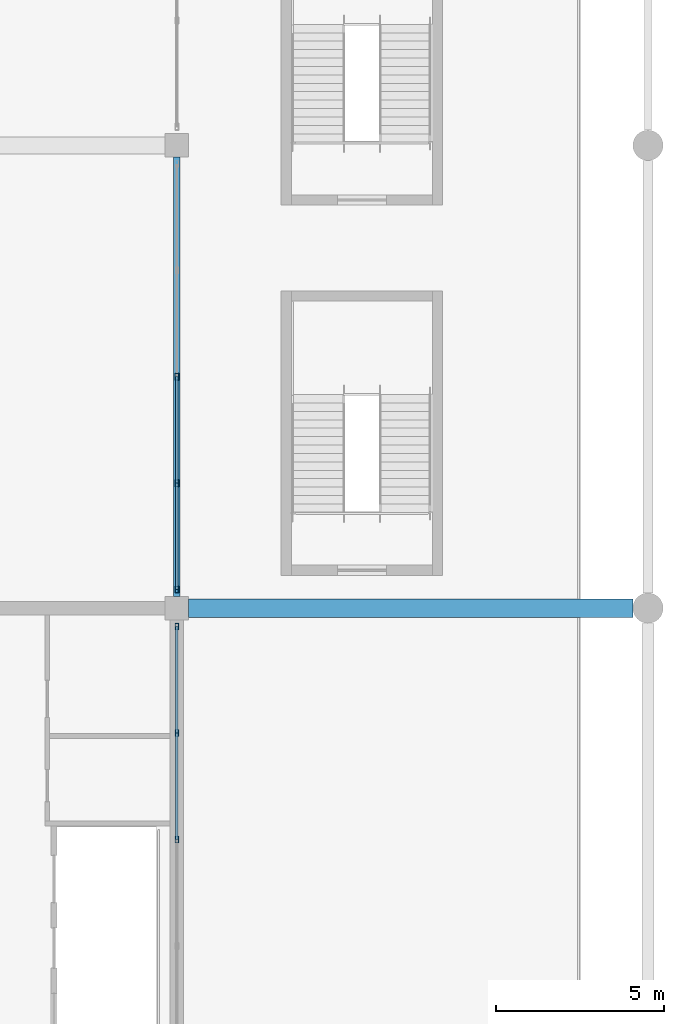
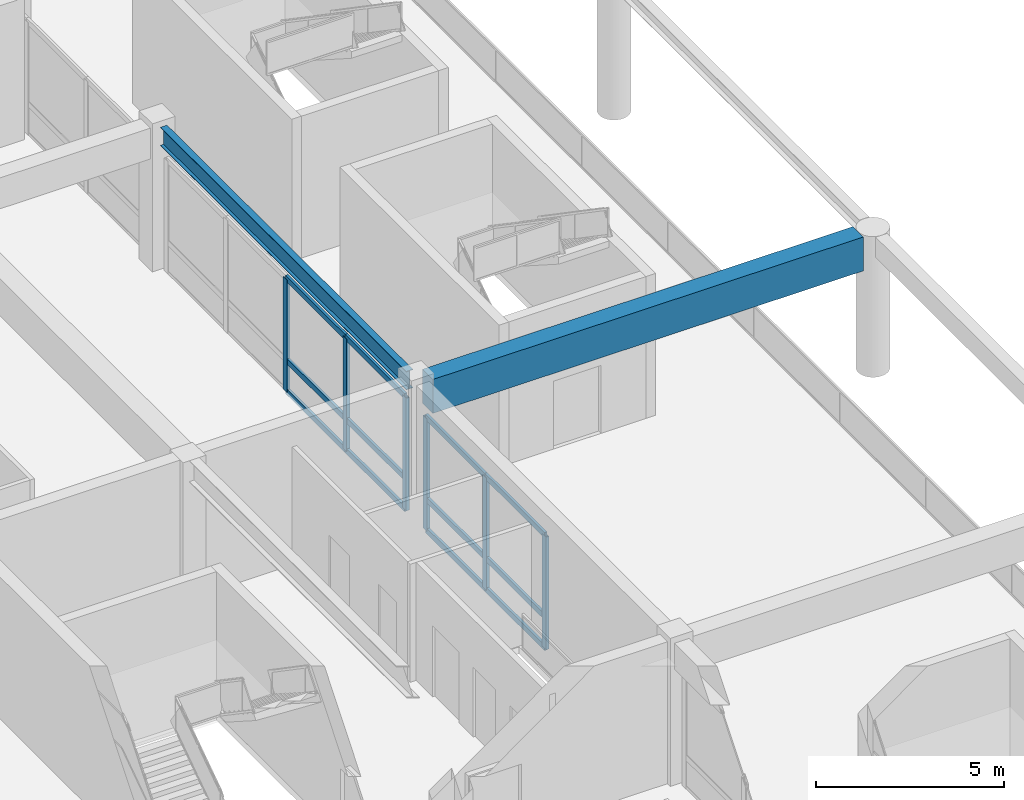
# One storey, part 39 of 94: 18 members, 2 beams, 2 elements without a shape of their own.
"""IFC4 building model written with IfcOpenShell, lengths in metres."""

from ifc_helpers import new_model, si_unit, direction, frame, origin, origin_2d, place, context, subcontext, project, spatial, rectangle, hollow_rectangle, i_section, extrude, material, material_profile, profile_set, type_object, element, aggregate, save


model = new_model("IFC4")

# Units and contexts
model_context = context("Model", 3, precision=1e-05, world=origin(), true_north=direction((0.0, 1.0)))
body_context = subcontext(model_context, "Body", "Model", "MODEL_VIEW")
ifc_project = project(units=[si_unit("LENGTHUNIT", "METRE"), si_unit("AREAUNIT", "SQUARE_METRE"), si_unit("VOLUMEUNIT", "CUBIC_METRE"), si_unit("PLANEANGLEUNIT", "RADIAN"), si_unit("MASSUNIT", "GRAM", prefix="KILO")], contexts=[model_context])

# Site, building, storey
site_placement = place(None, origin())
site = spatial("IfcSite", under=ifc_project, at=site_placement, CompositionType="ELEMENT")
building_placement = place(site_placement, origin())
building = spatial("IfcBuilding", under=site, at=building_placement, Name="Linyun Crest Stadium", CompositionType="ELEMENT")
storey_placement = place(building_placement, frame((0.0, 0.0, 16.199951171875)))
storey = spatial("IfcBuildingStorey", under=building, at=storey_placement, Name="L04", CompositionType="ELEMENT", Elevation=16.199951171875)

# Beam
ifc_material_1 = material(Name="Steel Q355C", Category="steel")
ifc_material_profile_1 = material_profile(ifc_material_1, i_section(OverallWidth=0.199951171875, OverallDepth=0.60009765625, WebThickness=0.010986328125, FlangeThickness=0.01708984375, at=origin_2d()), Name="HN 600x200")
ifc_profile_set_1 = profile_set([ifc_material_profile_1], Name="Steel Q355C")
beam_type_1 = type_object("IfcBeamType", Name="B11", PredefinedType="BEAM", material=ifc_profile_set_1)
beam_1_placement = place(storey_placement, frame((84.0, 16.22509765625, 4.300048828125), z_axis=(0.0, 1.0, 0.0), x_axis=(-1.0, 0.0, 0.0)))
element("IfcBeam", 1, at=beam_1_placement, inside=storey, type_object=beam_type_1, Name="Frame beam B11 L04 720", PredefinedType="BEAM", context=body_context, shape_type="SweptSolid", body=[
    extrude(i_section(OverallWidth=0.199951171875, OverallDepth=0.60009765625, WebThickness=0.010986328125, FlangeThickness=0.01708984375, at=origin_2d()), origin(), (0.0, 0.0, 1.0), 13.0498046875),
])

# Curtain wall, members
ifc_material_2 = material(Name="Verdigris steel and low-E curtain wall assembly", Category="steel")
curtain_wall_type = type_object("IfcCurtainWallType", Name="MCW06", PredefinedType="NOTDEFINED", material=ifc_material_2)
curtain_wall_1_placement = place(storey_placement, origin())
curtain_wall_1 = element("IfcCurtainWall", 2, at=curtain_wall_1_placement, inside=storey, type_object=curtain_wall_type, Name="CWR-107", PredefinedType="NOTDEFINED")
ifc_material_3 = material(Name="Verdigris painted steel Q355C mullion", Category="steel")
ifc_material_profile_2 = material_profile(ifc_material_3, hollow_rectangle(XDim=0.10009765625, YDim=0.199951171875, WallThickness=0.008056640625, at=origin_2d()), Name="RHS 200x100x8")
ifc_profile_set_2 = profile_set([ifc_material_profile_2], Name="Verdigris painted steel Q355C mullion")
member_type_1 = type_object("IfcMemberType", Name="ML03", PredefinedType="MULLION", material=ifc_profile_set_2)
member_1_placement = place(storey_placement, frame((84.0, 9.0, 0.0), z_axis=(0.0, 0.0, 1.0), x_axis=(-1.0, 0.0, 0.0)))
member_1 = element("IfcMember", 3, at=member_1_placement, type_object=member_type_1, Name="CWR-107 mullion 3", PredefinedType="MULLION", context=body_context, shape_type="SweptSolid", body=[
    extrude(hollow_rectangle(XDim=0.10009765625, YDim=0.199951171875, WallThickness=0.008056640625, at=origin_2d()), origin(), (0.0, 0.0, 1.0), 3.650146484375),
])
member_2_placement = place(storey_placement, frame((84.0, 12.162109375, 0.0), z_axis=(0.0, 0.0, 1.0), x_axis=(-1.0, 0.0, 0.0)))
member_2 = element("IfcMember", 4, at=member_2_placement, type_object=member_type_1, Name="CWR-107 mullion 4", PredefinedType="MULLION", context=body_context, shape_type="SweptSolid", body=[
    extrude(hollow_rectangle(XDim=0.10009765625, YDim=0.199951171875, WallThickness=0.008056640625, at=origin_2d()), origin(), (0.0, 0.0, 1.0), 3.650146484375),
])
member_3_placement = place(storey_placement, frame((84.0, 15.324951171875, 0.0), z_axis=(0.0, 0.0, 1.0), x_axis=(-1.0, 0.0, 0.0)))
member_3 = element("IfcMember", 5, at=member_3_placement, type_object=member_type_1, Name="CWR-107 mullion 5", PredefinedType="MULLION", context=body_context, shape_type="SweptSolid", body=[
    extrude(hollow_rectangle(XDim=0.10009765625, YDim=0.199951171875, WallThickness=0.008056640625, at=origin_2d()), origin(), (0.0, 0.0, 1.0), 3.650146484375),
])

curtain_wall_2_placement = place(storey_placement, origin())
curtain_wall_2 = element("IfcCurtainWall", 6, at=curtain_wall_2_placement, inside=storey, type_object=curtain_wall_type, Name="CWR-116", PredefinedType="NOTDEFINED")
member_4_placement = place(storey_placement, frame((84.0, 16.425048828125, 0.0), z_axis=(0.0, 0.0, 1.0), x_axis=(-1.0, 0.0, 0.0)))
member_4 = element("IfcMember", 7, at=member_4_placement, type_object=member_type_1, Name="CWR-116 mullion 1", PredefinedType="MULLION", context=body_context, shape_type="SweptSolid", body=[
    extrude(hollow_rectangle(XDim=0.10009765625, YDim=0.199951171875, WallThickness=0.008056640625, at=origin_2d()), origin(), (0.0, 0.0, 1.0), 3.650146484375),
])
member_5_placement = place(storey_placement, frame((84.0, 19.587890625, 0.0), z_axis=(0.0, 0.0, 1.0), x_axis=(-1.0, 0.0, 0.0)))
member_5 = element("IfcMember", 8, at=member_5_placement, type_object=member_type_1, Name="CWR-116 mullion 2", PredefinedType="MULLION", context=body_context, shape_type="SweptSolid", body=[
    extrude(hollow_rectangle(XDim=0.10009765625, YDim=0.199951171875, WallThickness=0.008056640625, at=origin_2d()), origin(), (0.0, 0.0, 1.0), 3.650146484375),
])
member_6_placement = place(storey_placement, frame((84.0, 22.75, 0.0), z_axis=(0.0, 0.0, 1.0), x_axis=(-1.0, 0.0, 0.0)))
member_6 = element("IfcMember", 9, at=member_6_placement, type_object=member_type_1, Name="CWR-116 mullion 3", PredefinedType="MULLION", context=body_context, shape_type="SweptSolid", body=[
    extrude(hollow_rectangle(XDim=0.10009765625, YDim=0.199951171875, WallThickness=0.008056640625, at=origin_2d()), origin(), (0.0, 0.0, 1.0), 3.650146484375),
])

# Beam
ifc_material_4 = material(Name="Concrete C50", Category="concrete")
ifc_material_profile_3 = material_profile(ifc_material_4, rectangle(XDim=0.550048828125, YDim=1.10009765625, at=origin_2d()), Name="RCB 1100x550")
ifc_profile_set_3 = profile_set([ifc_material_profile_3], Name="Concrete C50")
beam_type_2 = type_object("IfcBeamType", Name="TB01", PredefinedType="USERDEFINED", material=ifc_profile_set_3)
beam_2_placement = place(storey_placement, frame((84.35009765625, 15.875, 4.010009765625), z_axis=(1.0, 0.0, 0.0), x_axis=(0.0, 1.0, 0.0)))
element("IfcBeam", 10, at=beam_2_placement, inside=storey, type_object=beam_type_2, Name="Frame beam TB01 L04 692", ObjectType="GIRDER", PredefinedType="USERDEFINED", context=body_context, shape_type="SweptSolid", body=[
    extrude(rectangle(XDim=0.550048828125, YDim=1.10009765625, at=origin_2d()), origin(), (0.0, 0.0, 1.0), 13.199951171875),
])

# Member
ifc_material_5 = material(Name="Verdigris painted steel Q355B transom", Category="steel")
ifc_material_profile_4 = material_profile(ifc_material_5, hollow_rectangle(XDim=0.080078125, YDim=0.179931640625, WallThickness=0.006103515625, at=origin_2d()), Name="RHS 180x80x6")
ifc_profile_set_4 = profile_set([ifc_material_profile_4], Name="Verdigris painted steel Q355B transom")
member_type_2 = type_object("IfcMemberType", Name="TR02", PredefinedType="USERDEFINED", material=ifc_profile_set_4)
member_7_placement = place(storey_placement, frame((84.0, 9.0, 0.0), z_axis=(0.0, 1.0, 0.0), x_axis=(-1.0, 0.0, 0.0)))
member_7 = element("IfcMember", 11, at=member_7_placement, type_object=member_type_2, Name="CWR-107 transom 3.1", ObjectType="TRANSOM", PredefinedType="USERDEFINED", context=body_context, shape_type="SweptSolid", body=[
    extrude(hollow_rectangle(XDim=0.080078125, YDim=0.179931640625, WallThickness=0.006103515625, at=origin_2d()), origin(), (0.0, 0.0, 1.0), 3.162109375),
])

member_8_placement = place(storey_placement, frame((84.0, 9.0, 1.0), z_axis=(0.0, 1.0, 0.0), x_axis=(-1.0, 0.0, 0.0)))
member_8 = element("IfcMember", 12, at=member_8_placement, type_object=member_type_2, Name="CWR-107 transom 3.2", ObjectType="TRANSOM", PredefinedType="USERDEFINED", context=body_context, shape_type="SweptSolid", body=[
    extrude(hollow_rectangle(XDim=0.080078125, YDim=0.179931640625, WallThickness=0.006103515625, at=origin_2d()), origin(), (0.0, 0.0, 1.0), 3.162109375),
])

member_9_placement = place(storey_placement, frame((84.0, 9.0, 3.650146484375), z_axis=(0.0, 1.0, 0.0), x_axis=(-1.0, 0.0, 0.0)))
member_9 = element("IfcMember", 13, at=member_9_placement, type_object=member_type_2, Name="CWR-107 transom 3.3", ObjectType="TRANSOM", PredefinedType="USERDEFINED", context=body_context, shape_type="SweptSolid", body=[
    extrude(hollow_rectangle(XDim=0.080078125, YDim=0.179931640625, WallThickness=0.006103515625, at=origin_2d()), origin(), (0.0, 0.0, 1.0), 3.162109375),
])

member_10_placement = place(storey_placement, frame((84.0, 12.162109375, 0.0), z_axis=(0.0, 1.0, 0.0), x_axis=(-1.0, 0.0, 0.0)))
member_10 = element("IfcMember", 14, at=member_10_placement, type_object=member_type_2, Name="CWR-107 transom 4.1", ObjectType="TRANSOM", PredefinedType="USERDEFINED", context=body_context, shape_type="SweptSolid", body=[
    extrude(hollow_rectangle(XDim=0.080078125, YDim=0.179931640625, WallThickness=0.006103515625, at=origin_2d()), origin(), (0.0, 0.0, 1.0), 3.162841796875),
])

member_11_placement = place(storey_placement, frame((84.0, 12.162109375, 1.0), z_axis=(0.0, 1.0, 0.0), x_axis=(-1.0, 0.0, 0.0)))
member_11 = element("IfcMember", 15, at=member_11_placement, type_object=member_type_2, Name="CWR-107 transom 4.2", ObjectType="TRANSOM", PredefinedType="USERDEFINED", context=body_context, shape_type="SweptSolid", body=[
    extrude(hollow_rectangle(XDim=0.080078125, YDim=0.179931640625, WallThickness=0.006103515625, at=origin_2d()), origin(), (0.0, 0.0, 1.0), 3.162841796875),
])

member_12_placement = place(storey_placement, frame((84.0, 12.162109375, 3.650146484375), z_axis=(0.0, 1.0, 0.0), x_axis=(-1.0, 0.0, 0.0)))
member_12 = element("IfcMember", 16, at=member_12_placement, type_object=member_type_2, Name="CWR-107 transom 4.3", ObjectType="TRANSOM", PredefinedType="USERDEFINED", context=body_context, shape_type="SweptSolid", body=[
    extrude(hollow_rectangle(XDim=0.080078125, YDim=0.179931640625, WallThickness=0.006103515625, at=origin_2d()), origin(), (0.0, 0.0, 1.0), 3.162841796875),
])

aggregate(curtain_wall_1, [member_1, member_2, member_3, member_7, member_8, member_9, member_10, member_11, member_12])

member_13_placement = place(storey_placement, frame((84.0, 16.425048828125, 0.0), z_axis=(0.0, 1.0, 0.0), x_axis=(-1.0, 0.0, 0.0)))
member_13 = element("IfcMember", 17, at=member_13_placement, type_object=member_type_2, Name="CWR-116 transom 1.1", ObjectType="TRANSOM", PredefinedType="USERDEFINED", context=body_context, shape_type="SweptSolid", body=[
    extrude(hollow_rectangle(XDim=0.080078125, YDim=0.179931640625, WallThickness=0.006103515625, at=origin_2d()), origin(), (0.0, 0.0, 1.0), 3.162841796875),
])

member_14_placement = place(storey_placement, frame((84.0, 16.425048828125, 1.0), z_axis=(0.0, 1.0, 0.0), x_axis=(-1.0, 0.0, 0.0)))
member_14 = element("IfcMember", 18, at=member_14_placement, type_object=member_type_2, Name="CWR-116 transom 1.2", ObjectType="TRANSOM", PredefinedType="USERDEFINED", context=body_context, shape_type="SweptSolid", body=[
    extrude(hollow_rectangle(XDim=0.080078125, YDim=0.179931640625, WallThickness=0.006103515625, at=origin_2d()), origin(), (0.0, 0.0, 1.0), 3.162841796875),
])

member_15_placement = place(storey_placement, frame((84.0, 16.425048828125, 3.650146484375), z_axis=(0.0, 1.0, 0.0), x_axis=(-1.0, 0.0, 0.0)))
member_15 = element("IfcMember", 19, at=member_15_placement, type_object=member_type_2, Name="CWR-116 transom 1.3", ObjectType="TRANSOM", PredefinedType="USERDEFINED", context=body_context, shape_type="SweptSolid", body=[
    extrude(hollow_rectangle(XDim=0.080078125, YDim=0.179931640625, WallThickness=0.006103515625, at=origin_2d()), origin(), (0.0, 0.0, 1.0), 3.162841796875),
])

member_16_placement = place(storey_placement, frame((84.0, 19.587890625, 0.0), z_axis=(0.0, 1.0, 0.0), x_axis=(-1.0, 0.0, 0.0)))
member_16 = element("IfcMember", 20, at=member_16_placement, type_object=member_type_2, Name="CWR-116 transom 2.1", ObjectType="TRANSOM", PredefinedType="USERDEFINED", context=body_context, shape_type="SweptSolid", body=[
    extrude(hollow_rectangle(XDim=0.080078125, YDim=0.179931640625, WallThickness=0.006103515625, at=origin_2d()), origin(), (0.0, 0.0, 1.0), 3.162109375),
])

member_17_placement = place(storey_placement, frame((84.0, 19.587890625, 1.0), z_axis=(0.0, 1.0, 0.0), x_axis=(-1.0, 0.0, 0.0)))
member_17 = element("IfcMember", 21, at=member_17_placement, type_object=member_type_2, Name="CWR-116 transom 2.2", ObjectType="TRANSOM", PredefinedType="USERDEFINED", context=body_context, shape_type="SweptSolid", body=[
    extrude(hollow_rectangle(XDim=0.080078125, YDim=0.179931640625, WallThickness=0.006103515625, at=origin_2d()), origin(), (0.0, 0.0, 1.0), 3.162109375),
])

member_18_placement = place(storey_placement, frame((84.0, 19.587890625, 3.650146484375), z_axis=(0.0, 1.0, 0.0), x_axis=(-1.0, 0.0, 0.0)))
member_18 = element("IfcMember", 22, at=member_18_placement, type_object=member_type_2, Name="CWR-116 transom 2.3", ObjectType="TRANSOM", PredefinedType="USERDEFINED", context=body_context, shape_type="SweptSolid", body=[
    extrude(hollow_rectangle(XDim=0.080078125, YDim=0.179931640625, WallThickness=0.006103515625, at=origin_2d()), origin(), (0.0, 0.0, 1.0), 3.162109375),
])

aggregate(curtain_wall_2, [member_4, member_5, member_6, member_13, member_14, member_15, member_16, member_17, member_18])

save(model, "model.ifc")
